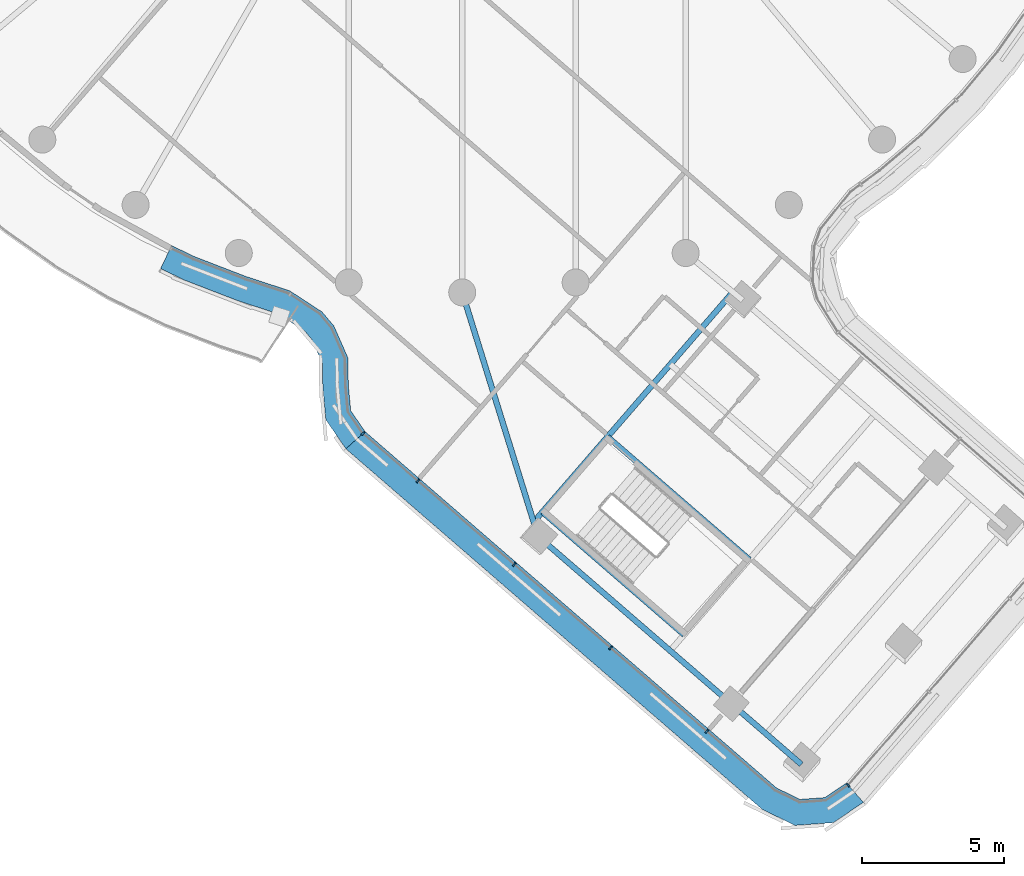
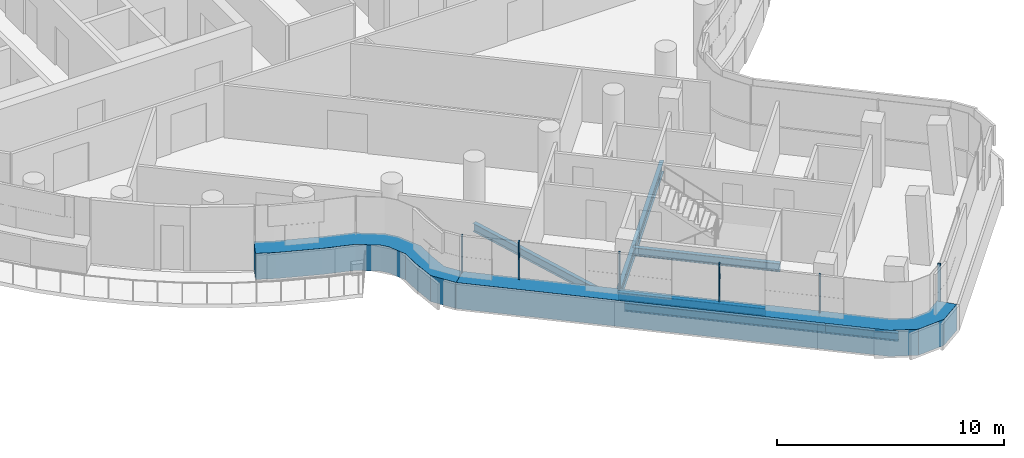
# One storey, part 5 of 32: 8 members, 6 beams, 3 elements without a shape of their own.
"""IFC4 building model written with IfcOpenShell, lengths in metres."""

from ifc_helpers import new_model, si_unit, direction, frame, origin, origin_2d, place, context, subcontext, project, spatial, polyline, rectangle, i_section, outline, extrude, material, layer, layer_set, material_profile, profile_set, type_object, element, aggregate, save


model = new_model("IFC4")

# Units and contexts
model_context = context("Model", 3, precision=1e-05, world=origin(), true_north=direction((0.0, 1.0)))
body_context = subcontext(model_context, "Body", "Model", "MODEL_VIEW")
ifc_project = project(units=[si_unit("LENGTHUNIT", "METRE"), si_unit("AREAUNIT", "SQUARE_METRE"), si_unit("VOLUMEUNIT", "CUBIC_METRE"), si_unit("PLANEANGLEUNIT", "RADIAN"), si_unit("MASSUNIT", "GRAM", prefix="KILO")], contexts=[model_context])

# Site, building, storey
site_placement = place(None, origin())
site = spatial("IfcSite", under=ifc_project, at=site_placement, CompositionType="ELEMENT")
building_placement = place(site_placement, origin())
building = spatial("IfcBuilding", under=site, at=building_placement, Name="Tamarind Cross Interchange Tower", CompositionType="ELEMENT")
storey_placement = place(building_placement, frame((0.0, 0.0, 211.300048828125)))
storey = spatial("IfcBuildingStorey", under=building, at=storey_placement, Name="L53", CompositionType="ELEMENT", Elevation=211.300048828125)

# Beams
ifc_material_1 = material(Name="Steel Q355B", Category="steel")
ifc_material_profile_1 = material_profile(ifc_material_1, i_section(OverallWidth=0.198974609375, OverallDepth=0.446044921875, WebThickness=0.008056640625, FlangeThickness=0.011962890625, FilletRadius=0.012939453125, at=origin_2d()), Name="HN 446x199x8x12")
ifc_profile_set_1 = profile_set([ifc_material_profile_1], Name="Steel Q355B")
beam_type_1 = type_object("IfcBeamType", Name="Composite beam HN 446x199x8x12 Q355B", PredefinedType="BEAM", material=ifc_profile_set_1)
beam_1_placement = place(storey_placement, frame((11.940185546875, -39.61669921875, -0.363037109375), z_axis=(-0.755936224782, 0.654645265822, 0.0), x_axis=(-0.654645265822, -0.755936224782, 0.0)))
element("IfcBeam", 1, at=beam_1_placement, inside=storey, type_object=beam_type_1, Name="Beam S-edgeem5", PredefinedType="BEAM", context=body_context, shape_type="SweptSolid", body=[
    extrude(i_section(OverallWidth=0.198974609375, OverallDepth=0.446044921875, WebThickness=0.008056640625, FlangeThickness=0.011962890625, FilletRadius=0.012939453125, at=origin_2d()), origin(), (0.0, 0.0, 1.0), 3.2587890625),
])
beam_2_placement = place(storey_placement, frame((9.476806640625, -37.4833984375, -0.363037109375), z_axis=(-0.755922635759, 0.654660957097, 0.0), x_axis=(-0.654660957097, -0.755922635759, 0.0)))
element("IfcBeam", 2, at=beam_2_placement, inside=storey, type_object=beam_type_1, Name="Beam S-edgeem6", PredefinedType="BEAM", context=body_context, shape_type="SweptSolid", body=[
    extrude(i_section(OverallWidth=0.198974609375, OverallDepth=0.446044921875, WebThickness=0.008056640625, FlangeThickness=0.011962890625, FilletRadius=0.012939453125, at=origin_2d()), origin(), (0.0, 0.0, 1.0), 9.000244140625),
])
beam_3_placement = place(storey_placement, frame((2.67333984375, -31.59130859375, -0.363037109375), z_axis=(-0.297116030954, 0.95484138167, 0.0), x_axis=(-0.95484138167, -0.297116030954, 0.0)))
element("IfcBeam", 3, at=beam_3_placement, inside=storey, type_object=beam_type_1, Name="Beam S-linkem", PredefinedType="BEAM", context=body_context, shape_type="SweptSolid", body=[
    extrude(i_section(OverallWidth=0.198974609375, OverallDepth=0.446044921875, WebThickness=0.008056640625, FlangeThickness=0.011962890625, FilletRadius=0.012939453125, at=origin_2d()), origin(), (0.0, 0.0, 1.0), 8.99755859375),
])
for number, where, z_axis, x_axis, name in (
    (4, (2.82421875, -30.729736328125, -0.363037109375), (0.755914834316, -0.654669965144, 0.0), (0.654669965144, 0.755914834316, 0.0), "Beam S-tr0"),
    (5, (5.11572265625, -28.083984375, -0.363037109375), (0.755914834316, -0.654669965144, 0.0), (0.654669965144, 0.755914834316, 0.0), "Beam S-tr1"),
):
    element("IfcBeam", number, at=place(storey_placement, frame(where, z_axis=z_axis, x_axis=x_axis)), inside=storey, type_object=beam_type_1, Name=name, PredefinedType="BEAM", context=body_context, shape_type="SweptSolid", body=[
        extrude(i_section(OverallWidth=0.198974609375, OverallDepth=0.446044921875, WebThickness=0.008056640625, FlangeThickness=0.011962890625, FilletRadius=0.012939453125, at=origin_2d()), origin(), (0.0, 0.0, 1.0), 6.599853515625),
    ])
ifc_material_profile_2 = material_profile(ifc_material_1, i_section(OverallWidth=0.198974609375, OverallDepth=0.595947265625, WebThickness=0.010009765625, FlangeThickness=0.014892578125, FilletRadius=0.012939453125, at=origin_2d()), Name="HN 596x199x10x15")
ifc_profile_set_2 = profile_set([ifc_material_profile_2], Name="Steel Q355B")
beam_type_2 = type_object("IfcBeamType", Name="Composite beam HN 596x199x10x15 Q355B", PredefinedType="BEAM", material=ifc_profile_set_2)
beam_4_placement = place(storey_placement, frame((2.51611328125, -31.085693359375, -0.43798828125), z_axis=(0.654655409649, 0.755927440048, 0.0), x_axis=(-0.755927440048, 0.654655409649, 0.0)))
element("IfcBeam", 6, at=beam_4_placement, inside=storey, type_object=beam_type_2, Name="Beam S-x298", PredefinedType="BEAM", context=body_context, shape_type="SweptSolid", body=[
    extrude(i_section(OverallWidth=0.198974609375, OverallDepth=0.595947265625, WebThickness=0.010009765625, FlangeThickness=0.014892578125, FilletRadius=0.012939453125, at=origin_2d()), origin(), (0.0, 0.0, 1.0), 10.7109375),
])

# Curtain wall, member
ifc_material_2 = material(Name="Aluminium 6063-T6", Category="aluminium")
ifc_layer = layer(ifc_material_2, 0.139892578125)
ifc_layer_set = layer_set([ifc_layer], Name="Aluminium 6063-T6")
curtain_wall_type = type_object("IfcCurtainWallType", Name="Hotel curtain wall, 4.5 m bays", PredefinedType="NOTDEFINED", material=ifc_layer_set)
curtain_wall_1_placement = place(storey_placement, origin())
curtain_wall_1 = element("IfcCurtainWall", 7, at=curtain_wall_1_placement, inside=storey, type_object=curtain_wall_type, Name="CWS-L53-02", PredefinedType="NOTDEFINED")
ifc_material_3 = material(Name="Aluminium and insulated spandrel panel", Category="aluminium")
member_type_1 = type_object("IfcMemberType", Name="Floor-edge blade transom", PredefinedType="USERDEFINED", material=ifc_material_3)
member_1_placement = place(storey_placement, origin())
member_1 = element("IfcMember", 8, at=member_1_placement, type_object=member_type_1, Name="CWT-L53-02-1", ObjectType="TRANSOM", PredefinedType="USERDEFINED", context=body_context, shape_type="SweptSolid", body=[
    extrude(outline(polyline([(-10.23193359375, -21.3505859375), (-9.425048828125, -21.74072265625), (-7.59326171875, -22.4462890625), (-6.074462890625, -22.9423828125), (-4.938232421875, -23.68408203125), (-4.520751953125, -24.17578125), (-4.0244140625, -25.303466796875), (-4.01025390625, -26.250244140625), (-3.92578125, -27.16552734375), (-3.42041015625, -27.901123046875), (-4.096923828125, -28.505859375), (-4.800537109375, -27.48193359375), (-4.90966796875, -26.29833984375), (-4.921630859375, -25.4990234375), (-5.291748046875, -24.658447265625), (-5.53955078125, -24.3662109375), (-6.466796875, -23.760986328125), (-7.894775390625, -23.294677734375), (-9.783203125, -22.567138671875), (-10.620849609375, -22.162109375), (-10.23193359375, -21.3505859375)])), origin(), (0.0, 0.0, 1.0), 1.39990234375),
])
aggregate(curtain_wall_1, [member_1])

# Curtain wall, members
curtain_wall_2_placement = place(storey_placement, origin())
curtain_wall_2 = element("IfcCurtainWall", 9, at=curtain_wall_2_placement, inside=storey, type_object=curtain_wall_type, Name="CWS-L53-03", PredefinedType="NOTDEFINED")
member_2_placement = place(storey_placement, origin())
member_2 = element("IfcMember", 10, at=member_2_placement, type_object=member_type_1, Name="CWT-L53-03", ObjectType="TRANSOM", PredefinedType="USERDEFINED", context=body_context, shape_type="SweptSolid", body=[
    extrude(outline(polyline([(-3.42041015625, -27.901123046875), (11.06982421875, -40.450439453125), (11.893310546875, -40.850341796875), (12.765625, -40.78759765625), (13.523681640625, -40.2744140625), (14.126220703125, -40.953125), (13.070556640625, -41.668212890625), (11.71728515625, -41.76513671875), (10.5703125, -41.20849609375), (-4.096923828125, -28.505859375), (-3.42041015625, -27.901123046875)])), origin(), (0.0, 0.0, 1.0), 1.39990234375),
])
ifc_material_profile_3 = material_profile(ifc_material_2, rectangle(XDim=0.06005859375, YDim=0.139892578125, at=origin_2d()), Name="Mullion CW2")
ifc_profile_set_3 = profile_set([ifc_material_profile_3], Name="Aluminium 6063-T6")
member_type_2 = type_object("IfcMemberType", Name="Mullion CW2", PredefinedType="MULLION", material=ifc_profile_set_3)
member_3_placement = place(storey_placement, frame((-3.49560546875, -27.96826171875, 1.39990234375), z_axis=(0.0, 0.0, 1.0), x_axis=(0.666528201716, -0.74547981617, 0.0)))
member_3 = element("IfcMember", 11, at=member_3_placement, type_object=member_type_2, Name="CWM-L53-03-00", PredefinedType="MULLION", context=body_context, shape_type="SweptSolid", body=[
    extrude(rectangle(XDim=0.06005859375, YDim=0.139892578125, at=origin_2d()), origin(), (0.0, 0.0, 1.0), 2.02001953125),
])
member_4_placement = place(storey_placement, frame((-1.565185546875, -29.64013671875, 1.39990234375), z_axis=(0.0, 0.0, 1.0), x_axis=(0.755917458902, -0.654666934653, 0.0)))
member_4 = element("IfcMember", 12, at=member_4_placement, type_object=member_type_2, Name="CWM-L53-03-01", PredefinedType="MULLION", context=body_context, shape_type="SweptSolid", body=[
    extrude(rectangle(XDim=0.06005859375, YDim=0.139892578125, at=origin_2d()), origin(), (0.0, 0.0, 1.0), 2.02001953125),
])
member_5_placement = place(storey_placement, frame((1.827392578125, -32.578369140625, 1.39990234375), z_axis=(0.0, 0.0, 1.0), x_axis=(0.755917458902, -0.654666934653, 0.0)))
member_5 = element("IfcMember", 13, at=member_5_placement, type_object=member_type_2, Name="CWM-L53-03-02", PredefinedType="MULLION", context=body_context, shape_type="SweptSolid", body=[
    extrude(rectangle(XDim=0.06005859375, YDim=0.139892578125, at=origin_2d()), origin(), (0.0, 0.0, 1.0), 2.02001953125),
])
member_6_placement = place(storey_placement, frame((5.2197265625, -35.516357421875, 1.39990234375), z_axis=(0.0, 0.0, 1.0), x_axis=(0.755917458902, -0.654666934653, 0.0)))
member_6 = element("IfcMember", 14, at=member_6_placement, type_object=member_type_2, Name="CWM-L53-03-03", PredefinedType="MULLION", context=body_context, shape_type="SweptSolid", body=[
    extrude(rectangle(XDim=0.06005859375, YDim=0.139892578125, at=origin_2d()), origin(), (0.0, 0.0, 1.0), 2.02001953125),
])
member_7_placement = place(storey_placement, frame((8.6123046875, -38.454345703125, 1.39990234375), z_axis=(0.0, 0.0, 1.0), x_axis=(0.755917458902, -0.654666934653, 0.0)))
member_7 = element("IfcMember", 15, at=member_7_placement, type_object=member_type_2, Name="CWM-L53-03-04", PredefinedType="MULLION", context=body_context, shape_type="SweptSolid", body=[
    extrude(rectangle(XDim=0.06005859375, YDim=0.139892578125, at=origin_2d()), origin(), (0.0, 0.0, 1.0), 2.02001953125),
])
aggregate(curtain_wall_2, [member_3, member_4, member_5, member_6, member_7, member_2])

# Curtain wall, member
curtain_wall_3_placement = place(storey_placement, origin())
curtain_wall_3 = element("IfcCurtainWall", 16, at=curtain_wall_3_placement, inside=storey, type_object=curtain_wall_type, Name="CWS-L53-04", PredefinedType="NOTDEFINED")
member_8_placement = place(storey_placement, frame((13.590576171875, -40.349853515625, 1.39990234375), z_axis=(0.0, 0.0, 1.0), x_axis=(0.747733195816, 0.663999298098, 0.0)))
member_8 = element("IfcMember", 17, at=member_8_placement, type_object=member_type_2, Name="CWM-L53-04-00", PredefinedType="MULLION", context=body_context, shape_type="SweptSolid", body=[
    extrude(rectangle(XDim=0.06005859375, YDim=0.139892578125, at=origin_2d()), origin(), (0.0, 0.0, 1.0), 2.02001953125),
])
aggregate(curtain_wall_3, [member_8])

save(model, "model.ifc")
